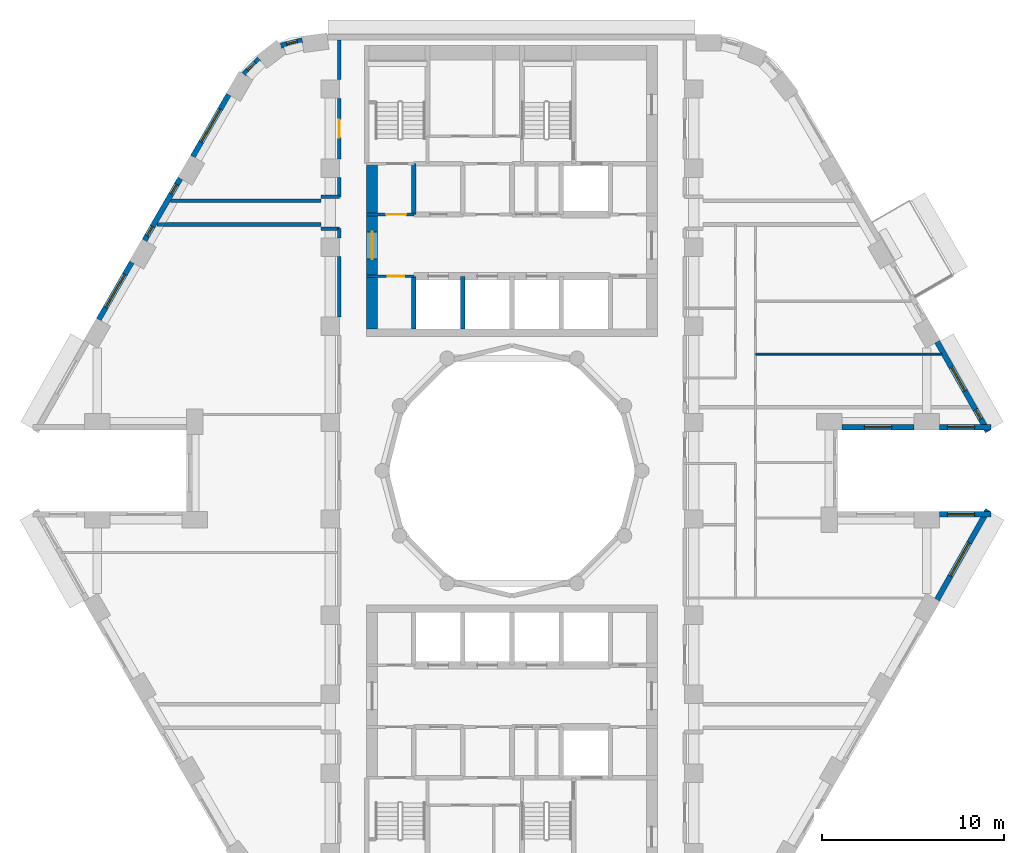
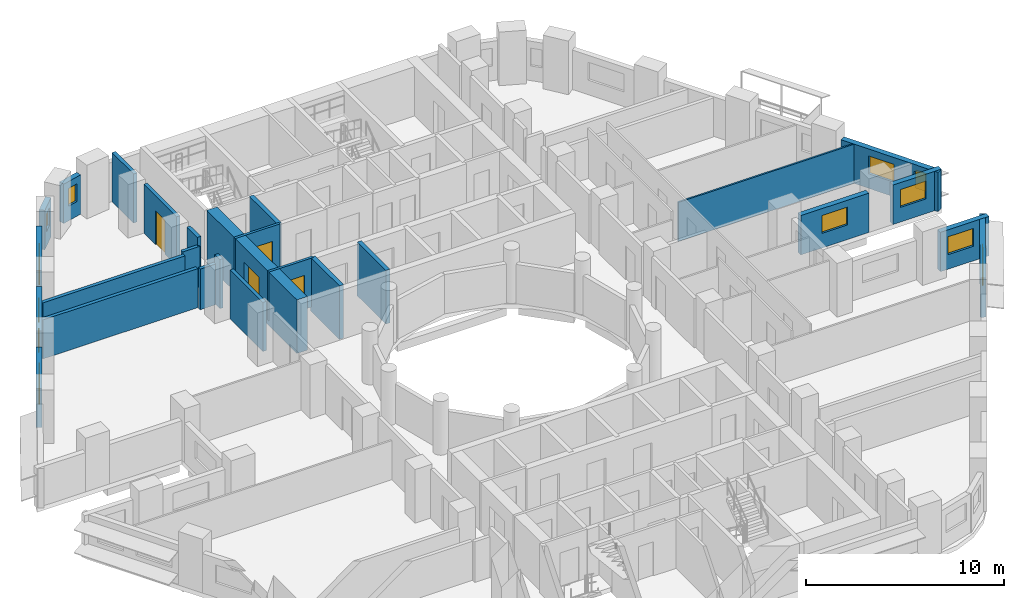
# One storey, part 6 of 13: 26 walls, 12 windows, 4 doors, 16 openings.
"""IFC4 building model written with IfcOpenShell, lengths in metres."""

from ifc_helpers import new_model, si_unit, direction, frame, frame_2d, origin, place, context, subcontext, project, spatial, rectangle, extrude, material, layer, layer_set, type_object, element, fill, save


model = new_model("IFC4")

# Units and contexts
model_context = context("Model", 3, precision=1e-05, world=origin(), true_north=direction((0.0, 1.0)))
body_context = subcontext(model_context, "Body", "Model", "MODEL_VIEW")
ifc_project = project(units=[si_unit("LENGTHUNIT", "METRE"), si_unit("AREAUNIT", "SQUARE_METRE"), si_unit("VOLUMEUNIT", "CUBIC_METRE"), si_unit("PLANEANGLEUNIT", "RADIAN"), si_unit("MASSUNIT", "GRAM", prefix="KILO")], contexts=[model_context])

# Site, building, storey
site_placement = place(None, origin())
site = spatial("IfcSite", under=ifc_project, at=site_placement, CompositionType="ELEMENT")
building_placement = place(site_placement, origin())
building = spatial("IfcBuilding", under=site, at=building_placement, Name="Nakaniwa Court", CompositionType="ELEMENT")
storey_placement = place(building_placement, frame((0.0, 0.0, 81.0)))
storey = spatial("IfcBuildingStorey", under=building, at=storey_placement, Name="L20", CompositionType="ELEMENT", Elevation=81.0)

# Walls
ifc_material_1 = material(Name="Acoustic double stud partition")
ifc_layer_1 = layer(ifc_material_1, 0.199951171875)
ifc_layer_set_1 = layer_set([ifc_layer_1], Name="Acoustic double stud partition")
wall_type_1 = type_object("IfcWallType", Name="Acoustic double stud partition 200", PredefinedType="PARTITIONING", material=ifc_layer_set_1)
wall_1_placement = place(storey_placement, frame((60.456787109375, 93.550048828125, 0.0), z_axis=(0.0, 0.0, 1.0), x_axis=(1.0, 0.0, 0.0)))
element("IfcWall", 1, at=wall_1_placement, inside=storey, type_object=wall_type_1, Name="Partition PW-081", PredefinedType="PARTITIONING", context=body_context, shape_type="SweptSolid", body=[
    extrude(rectangle(XDim=9.043212890625, YDim=0.199951171875, at=frame_2d((4.521484375, 0.0))), origin(), (0.0, 0.0, 1.0), 2.405029296875),
])
for number, where, z_axis, x_axis, name in (
    (2, (69.5, 93.324951171875, 0.0), (0.0, 0.0, 1.0), (1.0, 0.0, 0.0), "Partition PW-083"),
    (3, (69.5, 95.074951171875, 0.0), (0.0, 0.0, 1.0), (1.0, 0.0, 0.0), "Partition PW-085"),
):
    element("IfcWall", number, at=place(storey_placement, frame(where, z_axis=z_axis, x_axis=x_axis)), inside=storey, type_object=wall_type_1, Name=name, PredefinedType="PARTITIONING", context=body_context, shape_type="SweptSolid", body=[
        extrude(rectangle(XDim=1.0, YDim=0.199951171875, at=frame_2d((0.5, 0.0))), origin(), (0.0, 0.0, 1.0), 2.5048828125),
    ])
wall_2_placement = place(storey_placement, frame((61.207275390625, 94.85009765625, 0.0), z_axis=(0.0, 0.0, 1.0), x_axis=(1.0, 0.0, 0.0)))
element("IfcWall", 4, at=wall_2_placement, inside=storey, type_object=wall_type_1, Name="Partition PW-087", PredefinedType="PARTITIONING", context=body_context, shape_type="SweptSolid", body=[
    extrude(rectangle(XDim=8.292724609375, YDim=0.199951171875, at=frame_2d((4.146484375, 0.0))), origin(), (0.0, 0.0, 1.0), 2.405029296875),
])
wall_3_placement = place(storey_placement, frame((70.5, 88.467041015625, 0.0), z_axis=(0.0, 0.0, 1.0), x_axis=(0.0, 1.0, 0.0)))
element("IfcWall", 5, at=wall_3_placement, inside=storey, type_object=wall_type_1, Name="Partition PW-102", PredefinedType="PARTITIONING", context=body_context, shape_type="SweptSolid", body=[
    extrude(rectangle(XDim=3.31591796875, YDim=0.199951171875, at=frame_2d((1.657958984375, 0.0))), origin(), (0.0, 0.0, 1.0), 3.02490234375),
])
wall_4_placement = place(storey_placement, frame((70.5, 92.81689453125, 0.0), z_axis=(0.0, 0.0, 1.0), x_axis=(0.0, 1.0, 0.0)))
element("IfcWall", 6, at=wall_4_placement, inside=storey, type_object=wall_type_1, Name="Partition PW-103", PredefinedType="PARTITIONING", context=body_context, shape_type="SweptSolid", body=[
    extrude(rectangle(XDim=0.510986328125, YDim=0.199951171875, at=frame_2d((0.25537109375, 0.0))), origin(), (0.0, 0.0, 1.0), 3.02490234375),
])
wall_5_placement = place(storey_placement, frame((70.5, 95.072021484375, 0.0), z_axis=(0.0, 0.0, 1.0), x_axis=(0.0, 1.0, 0.0)))
element("IfcWall", 7, at=wall_5_placement, inside=storey, type_object=wall_type_1, Name="Partition PW-104", PredefinedType="PARTITIONING", context=body_context, shape_type="SweptSolid", body=[
    extrude(rectangle(XDim=1.06103515625, YDim=0.199951171875, at=frame_2d((0.530517578125, 0.0))), origin(), (0.0, 0.0, 1.0), 3.02490234375),
])

# Wall, opening, door
wall_6_placement = place(storey_placement, frame((70.5, 97.1669921875, 0.0), z_axis=(0.0, 0.0, 1.0), x_axis=(0.0, 1.0, 0.0)))
wall_6 = element("IfcWall", 8, at=wall_6_placement, inside=storey, type_object=wall_type_1, Name="Partition PW-105", PredefinedType="PARTITIONING", context=body_context, shape_type="SweptSolid", body=[
    extrude(rectangle(XDim=3.31591796875, YDim=0.199951171875, at=frame_2d((1.657958984375, 0.0))), origin(), (0.0, 0.0, 1.0), 3.02490234375),
])
opening_1_placement = place(wall_6_placement, frame((1.157958984375, 0.0, 0.0)))
opening_1 = element("IfcOpeningElement", 9, at=opening_1_placement, cuts=wall_6, Name="Opening D-02-07", PredefinedType="OPENING", context=body_context, shape_type="SweptSolid", body=[
    extrude(rectangle(XDim=1.0, YDim=2.10009765625, at=frame_2d((0.5, 1.050048828125))), frame((0.0, 0.10986328125, 0.0), z_axis=(0.0, -1.0, 0.0), x_axis=(1.0, 0.0, 0.0)), (0.0, 0.0, 1.0), 0.219970703125),
])
ifc_material_2 = material(Name="Solid core timber door set, black veneer", Category="wood")
door_type_1 = type_object("IfcDoorType", Name="Internal door 1000", OperationType="NOTDEFINED", PredefinedType="DOOR", material=ifc_material_2)
door_1_placement = place(opening_1_placement, origin())
door_1 = element("IfcDoor", 10, at=door_1_placement, inside=storey, type_object=door_type_1, Name="Door D-02-07 L20-045", OperationType="SINGLE_SWING_RIGHT", OverallHeight=2.10009765625, OverallWidth=1.0, PredefinedType="DOOR", context=body_context, shape_type="SweptSolid", body=[
    extrude(rectangle(XDim=1.0, YDim=2.10009765625, at=frame_2d((0.5, 1.050048828125))), frame((0.0, 0.02490234375, 0.0), z_axis=(0.0, -1.0, 0.0), x_axis=(1.0, 0.0, 0.0)), (0.0, 0.0, 1.0), 0.050048828125),
])
fill(opening_1, door_1)

# Wall
wall_7_placement = place(storey_placement, frame((70.5, 101.51708984375, 0.0), z_axis=(0.0, 0.0, 1.0), x_axis=(0.0, 1.0, 0.0)))
element("IfcWall", 11, at=wall_7_placement, inside=storey, type_object=wall_type_1, Name="Partition PW-106", PredefinedType="PARTITIONING", context=body_context, shape_type="SweptSolid", body=[
    extrude(rectangle(XDim=2.182861328125, YDim=0.199951171875, at=frame_2d((1.09130859375, 0.0))), origin(), (0.0, 0.0, 1.0), 3.02490234375),
])

# Wall, opening, window
ifc_material_3 = material(Name="Charcoal ceramic cladding")
ifc_layer_2 = layer(ifc_material_3, 0.02, Name="Ceramic cladding")
ifc_material_4 = material(Name="Ventilated air cavity")
ifc_layer_3 = layer(ifc_material_4, 0.04, ventilated=True, Name="Ventilated cavity")
ifc_material_5 = material(Name="Mineral wool insulation")
ifc_layer_4 = layer(ifc_material_5, 0.1, Name="Insulation")
ifc_material_6 = material(Name="Cement bonded sheathing board")
ifc_layer_5 = layer(ifc_material_6, 0.012, Name="Sheathing")
ifc_material_7 = material(Name="Cold-formed galvanised stud frame with mineral wool infill")
ifc_layer_6 = layer(ifc_material_7, 0.1, Name="Stud frame")
ifc_material_8 = material(Name="Fire-rated gypsum plasterboard lining")
ifc_layer_7 = layer(ifc_material_8, 0.028, Name="Lining")
ifc_layer_set_2 = layer_set([ifc_layer_2, ifc_layer_3, ifc_layer_4, ifc_layer_5, ifc_layer_6, ifc_layer_7], Name="Charcoal ceramic faced external wall system")
wall_type_2 = type_object("IfcWallType", Name="Black ceramic faced external wall 300", PredefinedType="SOLIDWALL", material=ifc_layer_set_2)
wall_8_placement = place(storey_placement, frame((98.154296875, 82.39990234375, 0.0), z_axis=(0.0, 0.0, 1.0), x_axis=(1.0, 0.0, 0.0)))
wall_8 = element("IfcWall", 12, at=wall_8_placement, inside=storey, type_object=wall_type_2, Name="L20 external wall 00", PredefinedType="SOLIDWALL", context=body_context, shape_type="SweptSolid", body=[
    extrude(rectangle(XDim=3.97265625, YDim=0.300048828125, at=frame_2d((1.986328125, 0.0))), origin(), (0.0, 0.0, 1.0), 2.425048828125),
])
opening_2_placement = place(wall_8_placement, frame((1.236328125, 0.0, 0.89990234375)))
opening_2 = element("IfcOpeningElement", 13, at=opening_2_placement, cuts=wall_8, Name="Opening W5.01", PredefinedType="OPENING", context=body_context, shape_type="SweptSolid", body=[
    extrude(rectangle(XDim=1.5, YDim=1.10009765625, at=frame_2d((0.75, 0.550048828125))), frame((0.0, 0.159912109375, 0.0), z_axis=(0.0, -1.0, 0.0), x_axis=(1.0, 0.0, 0.0)), (0.0, 0.0, 1.0), 0.320068359375),
])
ifc_material_9 = material(Name="Black anodised aluminium frame with dark low-E laminated double glazing", Category="aluminium")
window_type_1 = type_object("IfcWindowType", Name="Dark glass window 1500x1100 sill 900", PartitioningType="SINGLE_PANEL", PredefinedType="WINDOW", material=ifc_material_9)
window_1_placement = place(opening_2_placement, origin())
window_1 = element("IfcWindow", 14, at=window_1_placement, inside=storey, type_object=window_type_1, Name="L20 bedroom window 00-0", OverallHeight=1.10009765625, OverallWidth=1.5, PartitioningType="SINGLE_PANEL", PredefinedType="WINDOW", context=body_context, shape_type="SweptSolid", body=[
    extrude(rectangle(XDim=1.5, YDim=1.10009765625, at=frame_2d((0.75, 0.550048828125))), frame((0.0, 0.030029296875, 0.0), z_axis=(0.0, -1.0, 0.0), x_axis=(1.0, 0.0, 0.0)), (0.0, 0.0, 1.0), 0.06005859375),
])
fill(opening_2, window_1)

wall_9_placement = place(storey_placement, frame((103.518798828125, 82.39990234375, 0.0), z_axis=(0.0, 0.0, 1.0), x_axis=(1.0, 0.0, 0.0)))
wall_9 = element("IfcWall", 15, at=wall_9_placement, inside=storey, type_object=wall_type_2, Name="L20 external wall 01", PredefinedType="SOLIDWALL", context=body_context, shape_type="SweptSolid", body=[
    extrude(rectangle(XDim=2.837890625, YDim=0.300048828125, at=frame_2d((1.4189453125, 0.0))), origin(), (0.0, 0.0, 1.0), 2.425048828125),
])
opening_3_placement = place(wall_9_placement, frame((0.44384765625, 0.0, 0.89990234375)))
opening_3 = element("IfcOpeningElement", 16, at=opening_3_placement, cuts=wall_9, Name="Opening W5.02", PredefinedType="OPENING", context=body_context, shape_type="SweptSolid", body=[
    extrude(rectangle(XDim=1.5, YDim=1.10009765625, at=frame_2d((0.75, 0.550048828125))), frame((0.0, 0.159912109375, 0.0), z_axis=(0.0, -1.0, 0.0), x_axis=(1.0, 0.0, 0.0)), (0.0, 0.0, 1.0), 0.320068359375),
])
window_2_placement = place(opening_3_placement, origin())
window_2 = element("IfcWindow", 17, at=window_2_placement, inside=storey, type_object=window_type_1, Name="L20 bedroom window 01-0", OverallHeight=1.10009765625, OverallWidth=1.5, PartitioningType="SINGLE_PANEL", PredefinedType="WINDOW", context=body_context, shape_type="SweptSolid", body=[
    extrude(rectangle(XDim=1.5, YDim=1.10009765625, at=frame_2d((0.75, 0.550048828125))), frame((0.0, 0.030029296875, 0.0), z_axis=(0.0, -1.0, 0.0), x_axis=(1.0, 0.0, 0.0)), (0.0, 0.0, 1.0), 0.06005859375),
])
fill(opening_3, window_2)

# Wall, openings, windows
wall_10_placement = place(storey_placement, frame((106.18603515625, 82.1533203125, 0.0), z_axis=(0.0, 0.0, 1.0), x_axis=(-0.492456858874, 0.870336855561, 0.0)))
wall_10 = element("IfcWall", 18, at=wall_10_placement, inside=storey, type_object=wall_type_2, Name="L20 external wall 02", PredefinedType="SOLIDWALL", context=body_context, shape_type="SweptSolid", body=[
    extrude(rectangle(XDim=5.676513671875, YDim=0.300048828125, at=frame_2d((2.83837890625, 0.0))), origin(), (0.0, 0.0, 1.0), 2.425048828125),
])
opening_4_placement = place(wall_10_placement, frame((0.797607421875, 0.0, 0.89990234375)))
opening_4 = element("IfcOpeningElement", 19, at=opening_4_placement, cuts=wall_10, Name="Opening W8.03", PredefinedType="OPENING", context=body_context, shape_type="SweptSolid", body=[
    extrude(rectangle(XDim=0.60009765625, YDim=1.10009765625, at=frame_2d((0.300048828125, 0.550048828125))), frame((0.0, 0.159912109375, 0.0), z_axis=(0.0, -1.0, 0.0), x_axis=(1.0, 0.0, 0.0)), (0.0, 0.0, 1.0), 0.320068359375),
])
opening_5_placement = place(wall_10_placement, frame((2.569580078125, 0.0, 0.89990234375)))
opening_5 = element("IfcOpeningElement", 20, at=opening_5_placement, cuts=wall_10, Name="Opening W5.04", PredefinedType="OPENING", context=body_context, shape_type="SweptSolid", body=[
    extrude(rectangle(XDim=1.5, YDim=1.10009765625, at=frame_2d((0.75, 0.550048828125))), frame((0.0, 0.159912109375, 0.0), z_axis=(0.0, -1.0, 0.0), x_axis=(1.0, 0.0, 0.0)), (0.0, 0.0, 1.0), 0.320068359375),
])
window_3_placement = place(opening_5_placement, origin())
window_3 = element("IfcWindow", 21, at=window_3_placement, inside=storey, type_object=window_type_1, Name="L20 bedroom window 02-1", OverallHeight=1.10009765625, OverallWidth=1.5, PartitioningType="SINGLE_PANEL", PredefinedType="WINDOW", context=body_context, shape_type="SweptSolid", body=[
    extrude(rectangle(XDim=1.5, YDim=1.10009765625, at=frame_2d((0.75, 0.550048828125))), frame((0.0, 0.030029296875, 0.0), z_axis=(0.0, -1.0, 0.0), x_axis=(1.0, 0.0, 0.0)), (0.0, 0.0, 1.0), 0.06005859375),
])
fill(opening_5, window_3)
window_type_2 = type_object("IfcWindowType", Name="Dark glass window 600x1100 sill 900", PartitioningType="SINGLE_PANEL", PredefinedType="WINDOW", material=ifc_material_9)
window_4_placement = place(opening_4_placement, origin())
window_4 = element("IfcWindow", 22, at=window_4_placement, inside=storey, type_object=window_type_2, Name="L20 bedroom window 02-0", OverallHeight=1.10009765625, OverallWidth=0.60009765625, PartitioningType="SINGLE_PANEL", PredefinedType="WINDOW", context=body_context, shape_type="SweptSolid", body=[
    extrude(rectangle(XDim=0.60009765625, YDim=1.10009765625, at=frame_2d((0.300048828125, 0.550048828125))), frame((0.0, 0.030029296875, 0.0), z_axis=(0.0, -1.0, 0.0), x_axis=(1.0, 0.0, 0.0)), (0.0, 0.0, 1.0), 0.06005859375),
])
fill(opening_4, window_4)

# Wall, opening, window
wall_11_placement = place(storey_placement, frame((68.455810546875, 103.68310546875, 0.0), z_axis=(0.0, 0.0, 1.0), x_axis=(-0.969485113966, -0.245150186208, 0.0)))
wall_11 = element("IfcWall", 23, at=wall_11_placement, inside=storey, type_object=wall_type_2, Name="L20 external wall 09", PredefinedType="SOLIDWALL", context=body_context, shape_type="SweptSolid", body=[
    extrude(rectangle(XDim=1.2080078125, YDim=0.300048828125, at=frame_2d((0.60400390625, 0.0))), origin(), (0.0, 0.0, 1.0), 2.425048828125),
])
opening_6_placement = place(wall_11_placement, frame((0.279541015625, 0.0, 0.89990234375)))
opening_6 = element("IfcOpeningElement", 24, at=opening_6_placement, cuts=wall_11, Name="Opening W8.10", PredefinedType="OPENING", context=body_context, shape_type="SweptSolid", body=[
    extrude(rectangle(XDim=0.60009765625, YDim=1.10009765625, at=frame_2d((0.300048828125, 0.550048828125))), frame((0.0, 0.159912109375, 0.0), z_axis=(0.0, -1.0, 0.0), x_axis=(1.0, 0.0, 0.0)), (0.0, 0.0, 1.0), 0.320068359375),
])
window_5_placement = place(opening_6_placement, origin())
window_5 = element("IfcWindow", 25, at=window_5_placement, inside=storey, type_object=window_type_2, Name="L20 habitable room window 09-0", OverallHeight=1.10009765625, OverallWidth=0.60009765625, PartitioningType="SINGLE_PANEL", PredefinedType="WINDOW", context=body_context, shape_type="SweptSolid", body=[
    extrude(rectangle(XDim=0.60009765625, YDim=1.10009765625, at=frame_2d((0.300048828125, 0.550048828125))), frame((0.0, 0.030029296875, 0.0), z_axis=(0.0, -1.0, 0.0), x_axis=(1.0, 0.0, 0.0)), (0.0, 0.0, 1.0), 0.06005859375),
])
fill(opening_6, window_5)

wall_12_placement = place(storey_placement, frame((66.085205078125, 102.66259765625, 0.0), z_axis=(0.0, 0.0, 1.0), x_axis=(-0.708951665509, -0.705257070842, 0.0)))
wall_12 = element("IfcWall", 26, at=wall_12_placement, inside=storey, type_object=wall_type_2, Name="L20 external wall 10", PredefinedType="SOLIDWALL", context=body_context, shape_type="SweptSolid", body=[
    extrude(rectangle(XDim=1.189453125, YDim=0.300048828125, at=frame_2d((0.5947265625, 0.0))), origin(), (0.0, 0.0, 1.0), 2.425048828125),
])
opening_7_placement = place(wall_12_placement, frame((0.284423828125, 0.0, 0.89990234375)))
opening_7 = element("IfcOpeningElement", 27, at=opening_7_placement, cuts=wall_12, Name="Opening W8.11", PredefinedType="OPENING", context=body_context, shape_type="SweptSolid", body=[
    extrude(rectangle(XDim=0.60009765625, YDim=1.10009765625, at=frame_2d((0.300048828125, 0.550048828125))), frame((0.0, 0.159912109375, 0.0), z_axis=(0.0, -1.0, 0.0), x_axis=(1.0, 0.0, 0.0)), (0.0, 0.0, 1.0), 0.320068359375),
])
window_6_placement = place(opening_7_placement, origin())
window_6 = element("IfcWindow", 28, at=window_6_placement, inside=storey, type_object=window_type_2, Name="L20 habitable room window 10-0", OverallHeight=1.10009765625, OverallWidth=0.60009765625, PartitioningType="SINGLE_PANEL", PredefinedType="WINDOW", context=body_context, shape_type="SweptSolid", body=[
    extrude(rectangle(XDim=0.60009765625, YDim=1.10009765625, at=frame_2d((0.300048828125, 0.550048828125))), frame((0.0, 0.030029296875, 0.0), z_axis=(0.0, -1.0, 0.0), x_axis=(1.0, 0.0, 0.0)), (0.0, 0.0, 1.0), 0.06005859375),
])
fill(opening_7, window_6)

wall_13_placement = place(storey_placement, frame((64.40966796875, 100.69677734375, 0.0), z_axis=(0.0, 0.0, 1.0), x_axis=(-0.500003583557, -0.866023334807, 0.0)))
wall_13 = element("IfcWall", 29, at=wall_13_placement, inside=storey, type_object=wall_type_2, Name="L20 external wall 11", PredefinedType="SOLIDWALL", context=body_context, shape_type="SweptSolid", body=[
    extrude(rectangle(XDim=3.93408203125, YDim=0.300048828125, at=frame_2d((1.967041015625, 0.0))), origin(), (0.0, 0.0, 1.0), 2.425048828125),
])
opening_8_placement = place(wall_13_placement, frame((0.9169921875, 0.0, 0.89990234375)))
opening_8 = element("IfcOpeningElement", 30, at=opening_8_placement, cuts=wall_13, Name="Opening W7.12", PredefinedType="OPENING", context=body_context, shape_type="SweptSolid", body=[
    extrude(rectangle(XDim=2.10009765625, YDim=1.10009765625, at=frame_2d((1.050048828125, 0.550048828125))), frame((0.0, 0.159912109375, 0.0), z_axis=(0.0, -1.0, 0.0), x_axis=(1.0, 0.0, 0.0)), (0.0, 0.0, 1.0), 0.320068359375),
])
window_type_3 = type_object("IfcWindowType", Name="Dark glass window 2100x1100 sill 900", PartitioningType="SINGLE_PANEL", PredefinedType="WINDOW", material=ifc_material_9)
window_7_placement = place(opening_8_placement, origin())
window_7 = element("IfcWindow", 31, at=window_7_placement, inside=storey, type_object=window_type_3, Name="L20 habitable room window 11-0", OverallHeight=1.10009765625, OverallWidth=2.10009765625, PartitioningType="SINGLE_PANEL", PredefinedType="WINDOW", context=body_context, shape_type="SweptSolid", body=[
    extrude(rectangle(XDim=2.10009765625, YDim=1.10009765625, at=frame_2d((1.050048828125, 0.550048828125))), frame((0.0, 0.030029296875, 0.0), z_axis=(0.0, -1.0, 0.0), x_axis=(1.0, 0.0, 0.0)), (0.0, 0.0, 1.0), 0.06005859375),
])
fill(opening_8, window_7)

# Wall, openings, windows
wall_14_placement = place(storey_placement, frame((61.74658203125, 96.08447265625, 0.0), z_axis=(0.0, 0.0, 1.0), x_axis=(-0.499957037901, -0.866050206543, 0.0)))
wall_14 = element("IfcWall", 32, at=wall_14_placement, inside=storey, type_object=wall_type_2, Name="L20 external wall 12", PredefinedType="SOLIDWALL", context=body_context, shape_type="SweptSolid", body=[
    extrude(rectangle(XDim=3.933837890625, YDim=0.300048828125, at=frame_2d((1.966796875, 0.0))), origin(), (0.0, 0.0, 1.0), 2.425048828125),
])
opening_9_placement = place(wall_14_placement, frame((0.388671875, 0.0, 0.89990234375)))
opening_9 = element("IfcOpeningElement", 33, at=opening_9_placement, cuts=wall_14, Name="Opening W8.13", PredefinedType="OPENING", context=body_context, shape_type="SweptSolid", body=[
    extrude(rectangle(XDim=0.60009765625, YDim=1.10009765625, at=frame_2d((0.300048828125, 0.550048828125))), frame((0.0, 0.159912109375, 0.0), z_axis=(0.0, -1.0, 0.0), x_axis=(1.0, 0.0, 0.0)), (0.0, 0.0, 1.0), 0.320068359375),
])
opening_10_placement = place(wall_14_placement, frame((3.05615234375, 0.0, 0.89990234375)))
opening_10 = element("IfcOpeningElement", 34, at=opening_10_placement, cuts=wall_14, Name="Opening W8.14", PredefinedType="OPENING", context=body_context, shape_type="SweptSolid", body=[
    extrude(rectangle(XDim=0.60009765625, YDim=1.10009765625, at=frame_2d((0.300048828125, 0.550048828125))), frame((0.0, 0.159912109375, 0.0), z_axis=(0.0, -1.0, 0.0), x_axis=(1.0, 0.0, 0.0)), (0.0, 0.0, 1.0), 0.320068359375),
])
window_8_placement = place(opening_9_placement, origin())
window_8 = element("IfcWindow", 35, at=window_8_placement, inside=storey, type_object=window_type_2, Name="L20 habitable room window 12-0", OverallHeight=1.10009765625, OverallWidth=0.60009765625, PartitioningType="SINGLE_PANEL", PredefinedType="WINDOW", context=body_context, shape_type="SweptSolid", body=[
    extrude(rectangle(XDim=0.60009765625, YDim=1.10009765625, at=frame_2d((0.300048828125, 0.550048828125))), frame((0.0, 0.030029296875, 0.0), z_axis=(0.0, -1.0, 0.0), x_axis=(1.0, 0.0, 0.0)), (0.0, 0.0, 1.0), 0.06005859375),
])
fill(opening_9, window_8)
window_9_placement = place(opening_10_placement, origin())
window_9 = element("IfcWindow", 36, at=window_9_placement, inside=storey, type_object=window_type_2, Name="L20 habitable room window 12-2", OverallHeight=1.10009765625, OverallWidth=0.60009765625, PartitioningType="SINGLE_PANEL", PredefinedType="WINDOW", context=body_context, shape_type="SweptSolid", body=[
    extrude(rectangle(XDim=0.60009765625, YDim=1.10009765625, at=frame_2d((0.300048828125, 0.550048828125))), frame((0.0, 0.030029296875, 0.0), z_axis=(0.0, -1.0, 0.0), x_axis=(1.0, 0.0, 0.0)), (0.0, 0.0, 1.0), 0.06005859375),
])
fill(opening_10, window_9)

# Wall, opening, window
wall_15_placement = place(storey_placement, frame((59.083740234375, 91.471923828125, 0.0), z_axis=(0.0, 0.0, 1.0), x_axis=(-0.500009139881, -0.866020126807, 0.0)))
wall_15 = element("IfcWall", 37, at=wall_15_placement, inside=storey, type_object=wall_type_2, Name="L20 external wall 13", PredefinedType="SOLIDWALL", context=body_context, shape_type="SweptSolid", body=[
    extrude(rectangle(XDim=3.63671875, YDim=0.300048828125, at=frame_2d((1.818359375, 0.0))), origin(), (0.0, 0.0, 1.0), 2.425048828125),
])
opening_11_placement = place(wall_15_placement, frame((0.768310546875, 0.0, 0.89990234375)))
opening_11 = element("IfcOpeningElement", 38, at=opening_11_placement, cuts=wall_15, Name="Opening W7.15", PredefinedType="OPENING", context=body_context, shape_type="SweptSolid", body=[
    extrude(rectangle(XDim=2.10009765625, YDim=1.10009765625, at=frame_2d((1.050048828125, 0.550048828125))), frame((0.0, 0.159912109375, 0.0), z_axis=(0.0, -1.0, 0.0), x_axis=(1.0, 0.0, 0.0)), (0.0, 0.0, 1.0), 0.320068359375),
])
window_10_placement = place(opening_11_placement, origin())
window_10 = element("IfcWindow", 39, at=window_10_placement, inside=storey, type_object=window_type_3, Name="L20 habitable room window 13-0", OverallHeight=1.10009765625, OverallWidth=2.10009765625, PartitioningType="SINGLE_PANEL", PredefinedType="WINDOW", context=body_context, shape_type="SweptSolid", body=[
    extrude(rectangle(XDim=2.10009765625, YDim=1.10009765625, at=frame_2d((1.050048828125, 0.550048828125))), frame((0.0, 0.030029296875, 0.0), z_axis=(0.0, -1.0, 0.0), x_axis=(1.0, 0.0, 0.0)), (0.0, 0.0, 1.0), 0.06005859375),
])
fill(opening_11, window_10)

wall_16_placement = place(storey_placement, frame((103.390625, 72.90625, 0.0), z_axis=(0.0, 0.0, 1.0), x_axis=(0.492456858874, 0.870336855561, 0.0)))
wall_16 = element("IfcWall", 40, at=wall_16_placement, inside=storey, type_object=wall_type_2, Name="L20 external wall 32", PredefinedType="SOLIDWALL", context=body_context, shape_type="SweptSolid", body=[
    extrude(rectangle(XDim=5.676513671875, YDim=0.300048828125, at=frame_2d((2.83837890625, 0.0))), origin(), (0.0, 0.0, 1.0), 2.425048828125),
])
opening_12_placement = place(wall_16_placement, frame((1.498046875, 0.0, 0.89990234375)))
opening_12 = element("IfcOpeningElement", 41, at=opening_12_placement, cuts=wall_16, Name="Opening W7.32", PredefinedType="OPENING", context=body_context, shape_type="SweptSolid", body=[
    extrude(rectangle(XDim=2.10009765625, YDim=1.10009765625, at=frame_2d((1.050048828125, 0.550048828125))), frame((0.0, 0.159912109375, 0.0), z_axis=(0.0, -1.0, 0.0), x_axis=(1.0, 0.0, 0.0)), (0.0, 0.0, 1.0), 0.320068359375),
])
window_11_placement = place(opening_12_placement, origin())
window_11 = element("IfcWindow", 42, at=window_11_placement, inside=storey, type_object=window_type_3, Name="L20 living window 32-0", OverallHeight=1.10009765625, OverallWidth=2.10009765625, PartitioningType="SINGLE_PANEL", PredefinedType="WINDOW", context=body_context, shape_type="SweptSolid", body=[
    extrude(rectangle(XDim=2.10009765625, YDim=1.10009765625, at=frame_2d((1.050048828125, 0.550048828125))), frame((0.0, 0.030029296875, 0.0), z_axis=(0.0, -1.0, 0.0), x_axis=(1.0, 0.0, 0.0)), (0.0, 0.0, 1.0), 0.06005859375),
])
fill(opening_12, window_11)

wall_17_placement = place(storey_placement, frame((106.356689453125, 77.60009765625, 0.0), z_axis=(0.0, 0.0, 1.0), x_axis=(-1.0, 0.0, 0.0)))
wall_17 = element("IfcWall", 43, at=wall_17_placement, inside=storey, type_object=wall_type_2, Name="L20 external wall 33", PredefinedType="SOLIDWALL", context=body_context, shape_type="SweptSolid", body=[
    extrude(rectangle(XDim=2.837890625, YDim=0.300048828125, at=frame_2d((1.4189453125, 0.0))), origin(), (0.0, 0.0, 1.0), 2.425048828125),
])
opening_13_placement = place(wall_17_placement, frame((0.901611328125, 0.0, 0.89990234375)))
opening_13 = element("IfcOpeningElement", 44, at=opening_13_placement, cuts=wall_17, Name="Opening W5.33", PredefinedType="OPENING", context=body_context, shape_type="SweptSolid", body=[
    extrude(rectangle(XDim=1.5, YDim=1.10009765625, at=frame_2d((0.75, 0.550048828125))), frame((0.0, 0.159912109375, 0.0), z_axis=(0.0, -1.0, 0.0), x_axis=(1.0, 0.0, 0.0)), (0.0, 0.0, 1.0), 0.320068359375),
])
window_12_placement = place(opening_13_placement, origin())
window_12 = element("IfcWindow", 45, at=window_12_placement, inside=storey, type_object=window_type_1, Name="L20 living window 33-0", OverallHeight=1.10009765625, OverallWidth=1.5, PartitioningType="SINGLE_PANEL", PredefinedType="WINDOW", context=body_context, shape_type="SweptSolid", body=[
    extrude(rectangle(XDim=1.5, YDim=1.10009765625, at=frame_2d((0.75, 0.550048828125))), frame((0.0, 0.030029296875, 0.0), z_axis=(0.0, -1.0, 0.0), x_axis=(1.0, 0.0, 0.0)), (0.0, 0.0, 1.0), 0.06005859375),
])
fill(opening_13, window_12)

# Wall, opening, door
ifc_material_10 = material(Name="Blockwork partition", Category="masonry")
ifc_layer_8 = layer(ifc_material_10, 0.14990234375)
ifc_layer_set_3 = layer_set([ifc_layer_8], Name="Blockwork partition")
wall_type_3 = type_object("IfcWallType", Name="Blockwork partition 150", PredefinedType="PARTITIONING", material=ifc_layer_set_3)
wall_18_placement = place(storey_placement, frame((74.60009765625, 90.699951171875, 0.0), z_axis=(0.0, 0.0, 1.0), x_axis=(-1.0, 0.0, 0.0)))
wall_18 = element("IfcWall", 46, at=wall_18_placement, inside=storey, type_object=wall_type_3, Name="Partition PW-003", PredefinedType="PARTITIONING", context=body_context, shape_type="SweptSolid", body=[
    extrude(rectangle(XDim=2.60009765625, YDim=0.14990234375, at=frame_2d((1.300048828125, 0.0))), origin(), (0.0, 0.0, 1.0), 3.02490234375),
])
opening_14_placement = place(wall_18_placement, frame((0.52490234375, 0.0, 0.0)))
opening_14 = element("IfcOpeningElement", 47, at=opening_14_placement, cuts=wall_18, Name="Opening D-05-01", PredefinedType="OPENING", context=body_context, shape_type="SweptSolid", body=[
    extrude(rectangle(XDim=0.89990234375, YDim=2.10009765625, at=frame_2d((0.449951171875, 1.050048828125))), frame((0.0, 0.0849609375, 0.0), z_axis=(0.0, -1.0, 0.0), x_axis=(1.0, 0.0, 0.0)), (0.0, 0.0, 1.0), 0.169921875),
])
ifc_material_11 = material(Name="Fire rated steel door set", Category="steel")
door_type_2 = type_object("IfcDoorType", Name="Service room door 900", OperationType="NOTDEFINED", PredefinedType="DOOR", material=ifc_material_11)
door_2_placement = place(opening_14_placement, origin())
door_2 = element("IfcDoor", 48, at=door_2_placement, inside=storey, type_object=door_type_2, Name="Door D-05-01 L20-001", OperationType="SINGLE_SWING_RIGHT", OverallHeight=2.10009765625, OverallWidth=0.89990234375, PredefinedType="DOOR", context=body_context, shape_type="SweptSolid", body=[
    extrude(rectangle(XDim=0.89990234375, YDim=2.10009765625, at=frame_2d((0.449951171875, 1.050048828125))), frame((0.0, 0.02490234375, 0.0), z_axis=(0.0, -1.0, 0.0), x_axis=(1.0, 0.0, 0.0)), (0.0, 0.0, 1.0), 0.050048828125),
])
fill(opening_14, door_2)

wall_19_placement = place(storey_placement, frame((72.0, 94.10009765625, 0.0), z_axis=(0.0, 0.0, 1.0), x_axis=(1.0, 0.0, 0.0)))
wall_19 = element("IfcWall", 49, at=wall_19_placement, inside=storey, type_object=wall_type_3, Name="Partition PW-016", PredefinedType="PARTITIONING", context=body_context, shape_type="SweptSolid", body=[
    extrude(rectangle(XDim=2.60302734375, YDim=0.14990234375, at=frame_2d((1.301513671875, 0.0))), origin(), (0.0, 0.0, 1.0), 3.02490234375),
])
opening_15_placement = place(wall_19_placement, frame((1.074951171875, 0.0, 0.0)))
opening_15 = element("IfcOpeningElement", 50, at=opening_15_placement, cuts=wall_19, Name="Opening D-08-01", PredefinedType="OPENING", context=body_context, shape_type="SweptSolid", body=[
    extrude(rectangle(XDim=1.10009765625, YDim=2.10009765625, at=frame_2d((0.550048828125, 1.050048828125))), frame((0.0, 0.0849609375, 0.0), z_axis=(0.0, -1.0, 0.0), x_axis=(1.0, 0.0, 0.0)), (0.0, 0.0, 1.0), 0.169921875),
])
door_type_3 = type_object("IfcDoorType", Name="Stair lobby door 1100", OperationType="NOTDEFINED", PredefinedType="DOOR", material=ifc_material_11)
door_3_placement = place(opening_15_placement, origin())
door_3 = element("IfcDoor", 51, at=door_3_placement, inside=storey, type_object=door_type_3, Name="Door D-08-01 L20-003", OperationType="SINGLE_SWING_RIGHT", OverallHeight=2.10009765625, OverallWidth=1.10009765625, PredefinedType="DOOR", context=body_context, shape_type="SweptSolid", body=[
    extrude(rectangle(XDim=1.10009765625, YDim=2.10009765625, at=frame_2d((0.550048828125, 1.050048828125))), frame((0.0, 0.02490234375, 0.0), z_axis=(0.0, -1.0, 0.0), x_axis=(1.0, 0.0, 0.0)), (0.0, 0.0, 1.0), 0.050048828125),
])
fill(opening_15, door_3)

ifc_material_12 = material(Name="Concrete C80/100", Category="concrete")
ifc_layer_9 = layer(ifc_material_12, 0.60009765625)
ifc_layer_set_4 = layer_set([ifc_layer_9], Name="Concrete C80/100")
wall_type_4 = type_object("IfcWallType", Name="Concrete core side wall 600 C80", PredefinedType="SHEAR", material=ifc_layer_set_4)
wall_20_placement = place(storey_placement, frame((72.300048828125, 87.800048828125, -0.27490234375), z_axis=(0.0, 0.0, 1.0), x_axis=(0.0, 1.0, 0.0)))
wall_20 = element("IfcWall", 52, at=wall_20_placement, inside=storey, type_object=wall_type_4, Name="Core wall SW-04", PredefinedType="SHEAR", context=body_context, shape_type="SweptSolid", body=[
    extrude(rectangle(XDim=9.099853515625, YDim=0.60009765625, at=frame_2d((4.5498046875, 0.0))), origin(), (0.0, 0.0, 1.0), 3.2998046875),
])
opening_16_placement = place(wall_20_placement, frame((3.85009765625, 0.0, 0.27490234375)))
opening_16 = element("IfcOpeningElement", 53, at=opening_16_placement, cuts=wall_20, Name="Opening D-07-02", PredefinedType="OPENING", context=body_context, shape_type="SweptSolid", body=[
    extrude(rectangle(XDim=1.5, YDim=2.10009765625, at=frame_2d((0.75, 1.050048828125))), frame((0.0, 0.31005859375, 0.0), z_axis=(0.0, -1.0, 0.0), x_axis=(1.0, 0.0, 0.0)), (0.0, 0.0, 1.0), 0.6201171875),
])
ifc_material_13 = material(Name="Glazed fire rated steel double door set", Category="steel")
door_type_4 = type_object("IfcDoorType", Name="Lobby double door 1500", OperationType="NOTDEFINED", PredefinedType="DOOR", material=ifc_material_13)
door_4_placement = place(opening_16_placement, origin())
door_4 = element("IfcDoor", 54, at=door_4_placement, inside=storey, type_object=door_type_4, Name="Door D-07-02 L20-048", OperationType="DOUBLE_DOOR_SINGLE_SWING", OverallHeight=2.10009765625, OverallWidth=1.5, PredefinedType="DOOR", context=body_context, shape_type="SweptSolid", body=[
    extrude(rectangle(XDim=1.5, YDim=2.10009765625, at=frame_2d((0.75, 1.050048828125))), frame((0.0, 0.02490234375, 0.0), z_axis=(0.0, -1.0, 0.0), x_axis=(1.0, 0.0, 0.0)), (0.0, 0.0, 1.0), 0.050048828125),
])
fill(opening_16, door_4)

# Walls
ifc_layer_10 = layer(ifc_material_12, 0.25)
ifc_layer_set_5 = layer_set([ifc_layer_10], Name="Concrete C80/100")
wall_type_5 = type_object("IfcWallType", Name="Concrete shaft wall 250 C80", PredefinedType="SHEAR", material=ifc_layer_set_5)
wall_21_placement = place(storey_placement, frame((74.60009765625, 87.800048828125, -0.27490234375), z_axis=(0.0, 0.0, 1.0), x_axis=(0.0, 1.0, 0.0)))
element("IfcWall", 55, at=wall_21_placement, inside=storey, type_object=wall_type_5, Name="Core wall SW-01", PredefinedType="SHEAR", context=body_context, shape_type="SweptSolid", body=[
    extrude(rectangle(XDim=2.89990234375, YDim=0.25, at=frame_2d((1.449951171875, 0.0))), origin(), (0.0, 0.0, 1.0), 3.2998046875),
])
wall_22_placement = place(storey_placement, frame((74.60009765625, 94.10009765625, -0.27490234375), z_axis=(0.0, 0.0, 1.0), x_axis=(0.0, 1.0, 0.0)))
element("IfcWall", 56, at=wall_22_placement, inside=storey, type_object=wall_type_5, Name="Core wall SW-02", PredefinedType="SHEAR", context=body_context, shape_type="SweptSolid", body=[
    extrude(rectangle(XDim=2.7998046875, YDim=0.25, at=frame_2d((1.39990234375, 0.0))), origin(), (0.0, 0.0, 1.0), 3.2998046875),
])
wall_23_placement = place(storey_placement, frame((77.300048828125, 87.800048828125, -0.27490234375), z_axis=(0.0, 0.0, 1.0), x_axis=(0.0, 1.0, 0.0)))
element("IfcWall", 57, at=wall_23_placement, inside=storey, type_object=wall_type_5, Name="Core wall SW-05", PredefinedType="SHEAR", context=body_context, shape_type="SweptSolid", body=[
    extrude(rectangle(XDim=2.89990234375, YDim=0.25, at=frame_2d((1.449951171875, 0.0))), origin(), (0.0, 0.0, 1.0), 3.2998046875),
])
ifc_material_14 = material(Name="Single stud plasterboard partition")
ifc_layer_11 = layer(ifc_material_14, 0.10009765625)
ifc_layer_set_6 = layer_set([ifc_layer_11], Name="Single stud plasterboard partition")
wall_type_6 = type_object("IfcWallType", Name="Single stud plasterboard partition 100", PredefinedType="PARTITIONING", material=ifc_layer_set_6)
wall_24_placement = place(storey_placement, frame((93.39990234375, 86.41796875, 0.0), z_axis=(0.0, 0.0, 1.0), x_axis=(1.0, 0.0, 0.0)))
element("IfcWall", 58, at=wall_24_placement, inside=storey, type_object=wall_type_6, Name="Partition PW-118", PredefinedType="PARTITIONING", context=body_context, shape_type="SweptSolid", body=[
    extrude(rectangle(XDim=10.26123046875, YDim=0.10009765625, at=frame_2d((5.130615234375, 0.0))), origin(), (0.0, 0.0, 1.0), 2.405029296875),
])

save(model, "model.ifc")
